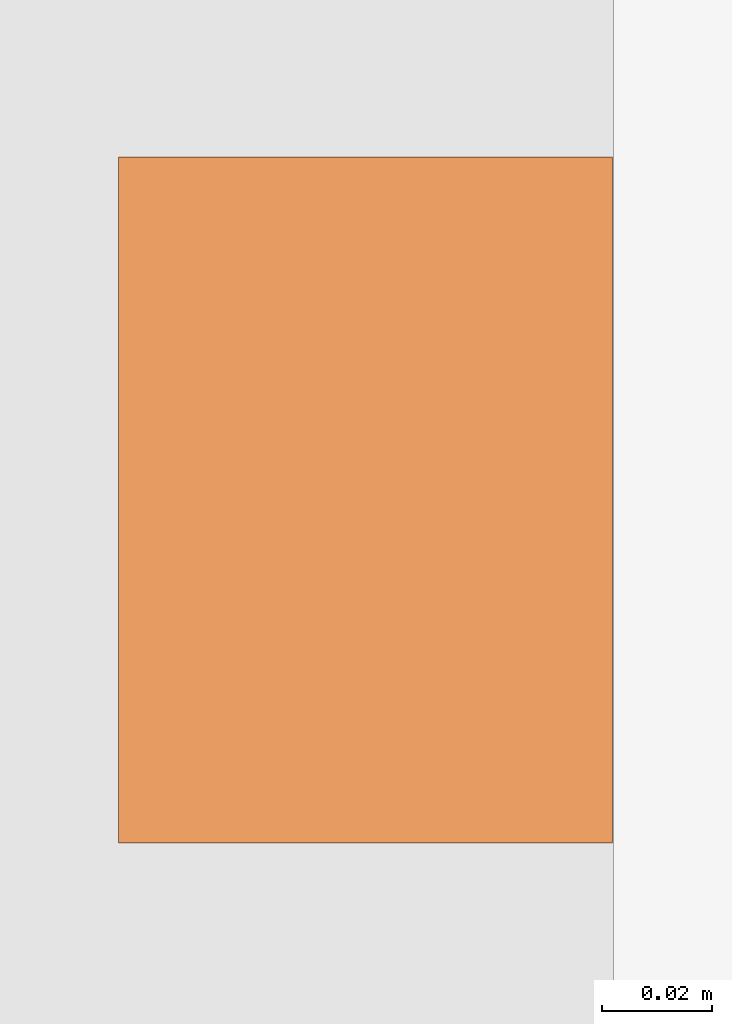
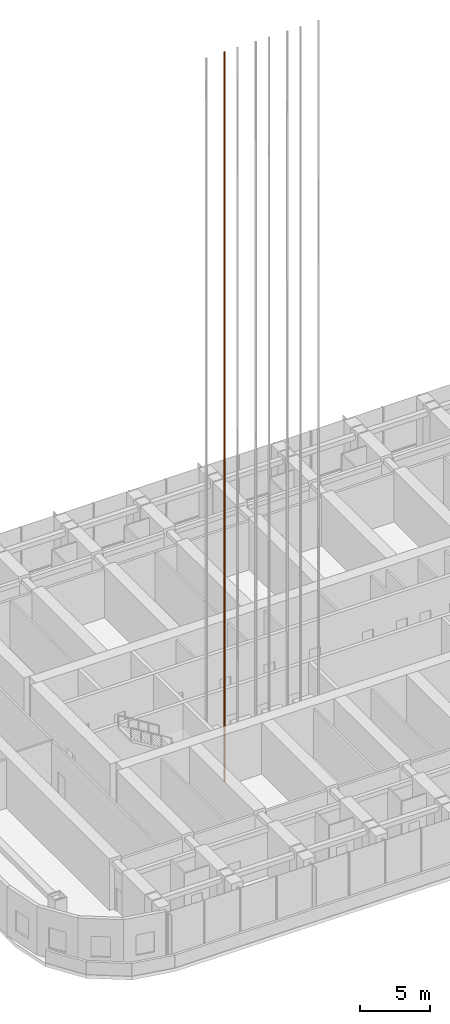
# One storey, part 25 of 31: 1 proxy.
"""IFC4 building model written with IfcOpenShell, lengths in metres."""

from ifc_helpers import new_model, si_unit, direction, frame, origin, origin_2d, place, context, subcontext, project, spatial, rectangle, extrude, material, element, save


model = new_model("IFC4")

# Units and contexts
model_context = context("Model", 3, precision=1e-05, world=origin(), true_north=direction((0.0, 1.0)))
body_context = subcontext(model_context, "Body", "Model", "MODEL_VIEW")
ifc_project = project(units=[si_unit("LENGTHUNIT", "METRE"), si_unit("AREAUNIT", "SQUARE_METRE"), si_unit("VOLUMEUNIT", "CUBIC_METRE"), si_unit("PLANEANGLEUNIT", "RADIAN"), si_unit("MASSUNIT", "GRAM", prefix="KILO")], contexts=[model_context])

# Site, building, storey
site_placement = place(None, origin())
site = spatial("IfcSite", under=ifc_project, at=site_placement, CompositionType="ELEMENT")
building_placement = place(site_placement, origin())
building = spatial("IfcBuilding", under=site, at=building_placement, Name="Orbita Commons", CompositionType="ELEMENT")
storey_placement = place(building_placement, frame((0.0, 0.0, 76.14990234375)))
storey = spatial("IfcBuildingStorey", under=building, at=storey_placement, Name="L18", CompositionType="ELEMENT", Elevation=76.14990234375)

# Proxy
ifc_material = material(Name="Machined steel guide rail", Category="steel")
placement = place(storey_placement, frame((27.300048828125, 28.10009765625, 0.0), z_axis=(0.0, 0.0, 1.0), x_axis=(1.0, 0.0, 0.0)))
proxy_placement = place(placement, frame((0.7548828125, 0.0, -1.800048828125)))
element("IfcBuildingElementProxy", 1, at=proxy_placement, inside=storey, material=ifc_material, Name="P21 guide rail 2", ObjectType="GUIDE RAIL", PredefinedType="USERDEFINED", context=body_context, shape_type="SweptSolid", body=[
    extrude(rectangle(XDim=0.09, YDim=0.125, at=origin_2d()), origin(), (0.0, 0.0, 1.0), 63.89990234375),
])

save(model, "model.ifc")
